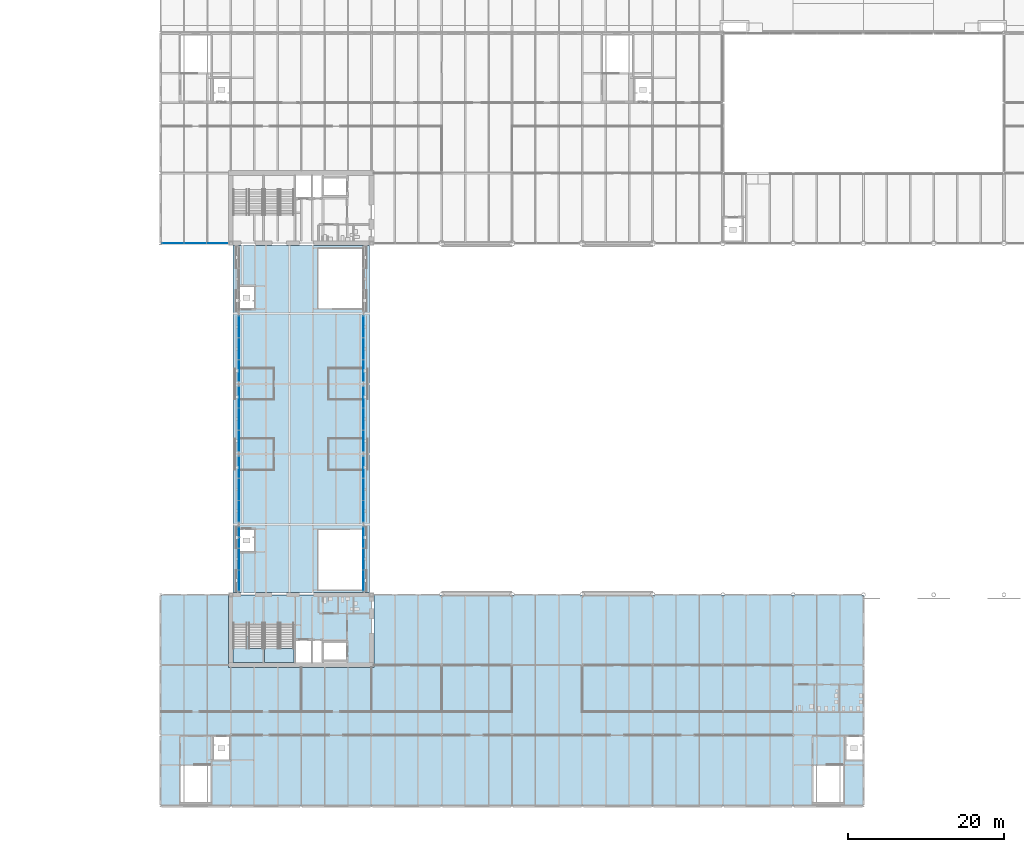
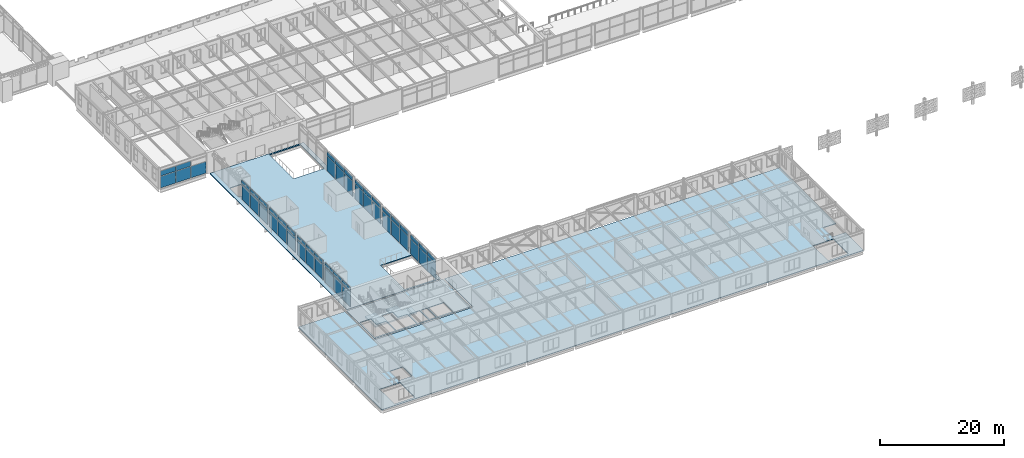
# One storey, part 53 of 123: 53 plates, 5 slabs, 11 elements without a shape of their own.
"""IFC4 building model written with IfcOpenShell, lengths in metres."""

from ifc_helpers import new_model, si_unit, direction, frame, origin, origin_2d, place, context, subcontext, project, spatial, polyline, rectangle, outline, extrude, material, layer, layer_set, type_object, element, aggregate, save


model = new_model("IFC4")

# Units and contexts
model_context = context("Model", 3, precision=1e-05, world=origin(), true_north=direction((0.0, 1.0)))
body_context = subcontext(model_context, "Body", "Model", "MODEL_VIEW")
ifc_project = project(units=[si_unit("LENGTHUNIT", "METRE"), si_unit("AREAUNIT", "SQUARE_METRE"), si_unit("VOLUMEUNIT", "CUBIC_METRE"), si_unit("PLANEANGLEUNIT", "RADIAN"), si_unit("MASSUNIT", "GRAM", prefix="KILO")], contexts=[model_context])

# Site, building, storey
site_placement = place(None, origin())
site = spatial("IfcSite", under=ifc_project, at=site_placement, CompositionType="ELEMENT")
building_placement = place(site_placement, origin())
building = spatial("IfcBuilding", under=site, at=building_placement, Name="Baradari Gate Terminus", CompositionType="ELEMENT")
storey_placement = place(building_placement, frame((0.0, 0.0, 7.5)))
storey = spatial("IfcBuildingStorey", under=building, at=storey_placement, Name="L01", CompositionType="ELEMENT", Elevation=7.5)

# Slabs
ifc_material_1 = material(Name="Concrete C35/45", Category="concrete")
ifc_layer_1 = layer(ifc_material_1, 0.1298828125)
ifc_layer_set_1 = layer_set([ifc_layer_1], Name="Concrete C35/45")
slab_type_1 = type_object("IfcSlabType", Name="Composite floor slab SL1 130", PredefinedType="FLOOR", material=ifc_layer_set_1)
slab_1_placement = place(storey_placement, frame((0.0, 0.0, -0.1298828125)))
element("IfcSlab", 1, at=slab_1_placement, inside=storey, type_object=slab_type_1, Name="South wing floor", PredefinedType="FLOOR", context=body_context, shape_type="SweptSolid", body=[
    extrude(outline(polyline([(153.0, 36.0), (90.300048828125, 36.0), (90.300048828125, 35.699951171875), (90.300048828125, 27.300048828125), (90.300048828125, 26.699951171875), (71.699951171875, 26.699951171875), (71.699951171875, 27.300048828125), (71.699951171875, 35.699951171875), (71.699951171875, 36.0), (63.0, 36.0), (63.0, 9.0), (153.0, 9.0), (153.0, 14.800048828125), (150.60009765625, 14.800048828125), (150.60009765625, 17.800048828125), (153.0, 17.800048828125), (153.0, 36.0)]), holes=[polyline([(150.39990234375, 9.39990234375), (150.39990234375, 14.199951171875), (146.60009765625, 14.199951171875), (146.60009765625, 9.39990234375), (150.39990234375, 9.39990234375)]), polyline([(72.0, 17.800048828125), (69.60009765625, 17.800048828125), (69.60009765625, 14.800048828125), (72.0, 14.800048828125), (72.0, 17.800048828125)]), polyline([(65.60009765625, 14.199951171875), (65.60009765625, 9.39990234375), (69.39990234375, 9.39990234375), (69.39990234375, 14.199951171875), (65.60009765625, 14.199951171875)])]), origin(), (0.0, 0.0, 1.0), 0.1298828125),
])
slab_2_placement = place(storey_placement, frame((0.0, 0.0, -0.1298828125)))
element("IfcSlab", 2, at=slab_2_placement, inside=storey, type_object=slab_type_1, Name="Gate floor", PredefinedType="FLOOR", context=body_context, shape_type="SweptSolid", body=[
    extrude(outline(polyline([(89.75, 36.300048828125), (89.75, 80.699951171875), (72.25, 80.699951171875), (72.25, 36.300048828125), (89.75, 36.300048828125)]), holes=[polyline([(83.199951171875, 80.39990234375), (83.199951171875, 72.60009765625), (89.0, 72.60009765625), (89.0, 80.39990234375), (83.199951171875, 80.39990234375)]), polyline([(83.199951171875, 36.60009765625), (89.0, 36.60009765625), (89.0, 44.39990234375), (83.199951171875, 44.39990234375), (83.199951171875, 36.60009765625)]), polyline([(75.0, 44.39990234375), (73.0, 44.39990234375), (73.0, 41.5), (75.0, 41.5), (75.0, 44.39990234375)]), polyline([(75.0, 72.60009765625), (75.0, 75.5), (73.0, 75.5), (73.0, 72.60009765625), (75.0, 72.60009765625)])]), origin(), (0.0, 0.0, 1.0), 0.1298828125),
])
slab_3_placement = place(storey_placement, frame((0.0, 0.0, -0.1298828125)))
element("IfcSlab", 3, at=slab_3_placement, inside=storey, type_object=slab_type_1, Name="Core floor GS", PredefinedType="FLOOR", context=body_context, shape_type="SweptSolid", body=[
    extrude(outline(polyline([(72.0, 27.0), (90.0, 27.0), (90.0, 36.0), (72.0, 36.0), (72.0, 27.0)]), holes=[polyline([(86.800048828125, 27.300048828125), (86.800048828125, 30.199951171875), (83.89990234375, 30.199951171875), (83.89990234375, 27.300048828125), (86.800048828125, 27.300048828125)]), polyline([(83.699951171875, 30.199951171875), (82.5, 30.199951171875), (82.5, 27.300048828125), (83.699951171875, 27.300048828125), (83.699951171875, 30.199951171875)]), polyline([(82.300048828125, 30.199951171875), (80.300048828125, 30.199951171875), (80.300048828125, 27.300048828125), (82.300048828125, 27.300048828125), (82.300048828125, 30.199951171875)]), polyline([(80.10009765625, 27.300048828125), (80.10009765625, 30.280029296875), (78.300048828125, 30.280029296875), (78.300048828125, 32.10009765625), (76.300048828125, 32.10009765625), (76.300048828125, 27.300048828125), (80.10009765625, 27.300048828125)]), polyline([(76.10009765625, 27.300048828125), (76.10009765625, 30.280029296875), (74.300048828125, 30.280029296875), (74.300048828125, 32.10009765625), (72.300048828125, 32.10009765625), (72.300048828125, 27.300048828125), (76.10009765625, 27.300048828125)])]), origin(), (0.0, 0.0, 1.0), 0.1298828125),
])

# Curtain wall, plates
ifc_material_2 = material(Name="Aluminium 6063-T6", Category="aluminium")
curtain_wall_type_1 = type_object("IfcCurtainWallType", Name="Curtain wall CW-13 concourse gallery glazing", PredefinedType="NOTDEFINED", material=ifc_material_2)
curtain_wall_1_placement = place(storey_placement, origin())
curtain_wall_1 = element("IfcCurtainWall", 4, at=curtain_wall_1_placement, inside=storey, type_object=curtain_wall_type_1, Name="Glazed curtain wall CW-13 HS bay 8 L01", PredefinedType="NOTDEFINED")
ifc_material_3 = material(Name="Insulating glass unit", Category="glass")
ifc_layer_2 = layer(ifc_material_3, 0.0400390625)
ifc_layer_set_2 = layer_set([ifc_layer_2], Name="Insulating glass unit")
plate_type_1 = type_object("IfcPlateType", Name="Curtain wall glazing unit CP-13 40", PredefinedType="CURTAIN_PANEL", material=ifc_layer_set_2)
plate_1_placement = place(storey_placement, frame((64.6064453125, 81.0, 0.080078125), z_axis=(0.0, 0.0, 1.0), x_axis=(1.0, 0.0, 0.0)))
plate_1 = element("IfcPlate", 5, at=plate_1_placement, type_object=plate_type_1, Name="CW-13 panel 1.1", PredefinedType="CURTAIN_PANEL", context=body_context, shape_type="SweptSolid", body=[
    extrude(rectangle(XDim=2.745361328125, YDim=0.0400390625, at=origin_2d()), origin(), (0.0, 0.0, 1.0), 2.280029296875),
])
plate_2_placement = place(storey_placement, frame((64.6064453125, 81.0, 2.43994140625), z_axis=(0.0, 0.0, 1.0), x_axis=(1.0, 0.0, 0.0)))
plate_2 = element("IfcPlate", 6, at=plate_2_placement, type_object=plate_type_1, Name="CW-13 panel 1.2", PredefinedType="CURTAIN_PANEL", context=body_context, shape_type="SweptSolid", body=[
    extrude(rectangle(XDim=2.745361328125, YDim=0.0400390625, at=origin_2d()), origin(), (0.0, 0.0, 1.0), 0.996826171875),
])
plate_3_placement = place(storey_placement, frame((67.451904296875, 81.0, 0.080078125), z_axis=(0.0, 0.0, 1.0), x_axis=(1.0, 0.0, 0.0)))
plate_3 = element("IfcPlate", 7, at=plate_3_placement, type_object=plate_type_1, Name="CW-13 panel 2.1", PredefinedType="CURTAIN_PANEL", context=body_context, shape_type="SweptSolid", body=[
    extrude(rectangle(XDim=2.785400390625, YDim=0.0400390625, at=origin_2d()), origin(), (0.0, 0.0, 1.0), 2.280029296875),
])
plate_4_placement = place(storey_placement, frame((67.451904296875, 81.0, 2.43994140625), z_axis=(0.0, 0.0, 1.0), x_axis=(1.0, 0.0, 0.0)))
plate_4 = element("IfcPlate", 8, at=plate_4_placement, type_object=plate_type_1, Name="CW-13 panel 2.2", PredefinedType="CURTAIN_PANEL", context=body_context, shape_type="SweptSolid", body=[
    extrude(rectangle(XDim=2.785400390625, YDim=0.0400390625, at=origin_2d()), origin(), (0.0, 0.0, 1.0), 0.996826171875),
])
plate_5_placement = place(storey_placement, frame((70.29736328125, 81.0, 0.080078125), z_axis=(0.0, 0.0, 1.0), x_axis=(1.0, 0.0, 0.0)))
plate_5 = element("IfcPlate", 9, at=plate_5_placement, type_object=plate_type_1, Name="CW-13 panel 3.1", PredefinedType="CURTAIN_PANEL", context=body_context, shape_type="SweptSolid", body=[
    extrude(rectangle(XDim=2.745361328125, YDim=0.0400390625, at=origin_2d()), origin(), (0.0, 0.0, 1.0), 2.280029296875),
])
aggregate(curtain_wall_1, [plate_1, plate_2, plate_3, plate_4, plate_5])

ifc_material_4 = material(Name="Aluminium 6063-T6", Category="aluminium")
curtain_wall_type_2 = type_object("IfcCurtainWallType", Name="Curtain wall CW-14 concourse bridge glazing", PredefinedType="NOTDEFINED", material=ifc_material_4)
curtain_wall_2_placement = place(storey_placement, origin())
curtain_wall_2 = element("IfcCurtainWall", 10, at=curtain_wall_2_placement, inside=storey, type_object=curtain_wall_type_2, Name="Curtain wall CW-3 gate west face L01 bay 1", PredefinedType="NOTDEFINED")
ifc_material_5 = material(Name="Insulating glass unit", Category="glass")
ifc_layer_3 = layer(ifc_material_5, 0.0400390625)
ifc_layer_set_3 = layer_set([ifc_layer_3], Name="Insulating glass unit")
plate_type_2 = type_object("IfcPlateType", Name="Curtain wall glazing unit CP-14 40", PredefinedType="CURTAIN_PANEL", material=ifc_layer_set_3)
plate_6_placement = place(storey_placement, frame((73.02490234375, 37.816650390625, 0.10009765625), z_axis=(0.0, 0.0, 1.0), x_axis=(0.0, 1.0, 0.0)))
plate_6 = element("IfcPlate", 11, at=plate_6_placement, type_object=plate_type_2, Name="CW-14 panel 1.1", PredefinedType="CURTAIN_PANEL", context=body_context, shape_type="SweptSolid", body=[
    extrude(rectangle(XDim=2.63330078125, YDim=0.0400390625, at=origin_2d()), origin(), (0.0, 0.0, 1.0), 3.0),
])
plate_7_placement = place(storey_placement, frame((73.02490234375, 40.574951171875, 0.10009765625), z_axis=(0.0, 0.0, 1.0), x_axis=(0.0, 1.0, 0.0)))
plate_7 = element("IfcPlate", 12, at=plate_7_placement, type_object=plate_type_2, Name="CW-14 panel 2.1", PredefinedType="CURTAIN_PANEL", context=body_context, shape_type="SweptSolid", body=[
    extrude(rectangle(XDim=2.683349609375, YDim=0.0400390625, at=origin_2d()), origin(), (0.0, 0.0, 1.0), 3.0),
])

curtain_wall_3_placement = place(storey_placement, origin())
curtain_wall_3 = element("IfcCurtainWall", 13, at=curtain_wall_3_placement, inside=storey, type_object=curtain_wall_type_2, Name="Curtain wall CW-3 gate west face L01 bay 2", PredefinedType="NOTDEFINED")
plate_8_placement = place(storey_placement, frame((73.02490234375, 46.691650390625, 0.10009765625), z_axis=(0.0, 0.0, 1.0), x_axis=(0.0, 1.0, 0.0)))
plate_8 = element("IfcPlate", 14, at=plate_8_placement, type_object=plate_type_2, Name="CW-14 panel 1.1", PredefinedType="CURTAIN_PANEL", context=body_context, shape_type="SweptSolid", body=[
    extrude(rectangle(XDim=2.683349609375, YDim=0.0400390625, at=origin_2d()), origin(), (0.0, 0.0, 1.0), 3.0),
])
plate_9_placement = place(storey_placement, frame((73.02490234375, 49.5, 0.10009765625), z_axis=(0.0, 0.0, 1.0), x_axis=(0.0, 1.0, 0.0)))
plate_9 = element("IfcPlate", 15, at=plate_9_placement, type_object=plate_type_2, Name="CW-14 panel 2.1", PredefinedType="CURTAIN_PANEL", context=body_context, shape_type="SweptSolid", body=[
    extrude(rectangle(XDim=2.7333984375, YDim=0.0400390625, at=origin_2d()), origin(), (0.0, 0.0, 1.0), 3.0),
])

curtain_wall_4_placement = place(storey_placement, origin())
curtain_wall_4 = element("IfcCurtainWall", 16, at=curtain_wall_4_placement, inside=storey, type_object=curtain_wall_type_2, Name="Curtain wall CW-3 gate west face L01 bay 3", PredefinedType="NOTDEFINED")
plate_10_placement = place(storey_placement, frame((73.02490234375, 55.691650390625, 0.10009765625), z_axis=(0.0, 0.0, 1.0), x_axis=(0.0, 1.0, 0.0)))
plate_10 = element("IfcPlate", 17, at=plate_10_placement, type_object=plate_type_2, Name="CW-14 panel 1.1", PredefinedType="CURTAIN_PANEL", context=body_context, shape_type="SweptSolid", body=[
    extrude(rectangle(XDim=2.683349609375, YDim=0.0400390625, at=origin_2d()), origin(), (0.0, 0.0, 1.0), 3.0),
])
plate_11_placement = place(storey_placement, frame((73.02490234375, 58.5, 0.10009765625), z_axis=(0.0, 0.0, 1.0), x_axis=(0.0, 1.0, 0.0)))
plate_11 = element("IfcPlate", 18, at=plate_11_placement, type_object=plate_type_2, Name="CW-14 panel 2.1", PredefinedType="CURTAIN_PANEL", context=body_context, shape_type="SweptSolid", body=[
    extrude(rectangle(XDim=2.7333984375, YDim=0.0400390625, at=origin_2d()), origin(), (0.0, 0.0, 1.0), 3.0),
])

curtain_wall_5_placement = place(storey_placement, origin())
curtain_wall_5 = element("IfcCurtainWall", 19, at=curtain_wall_5_placement, inside=storey, type_object=curtain_wall_type_2, Name="Curtain wall CW-3 gate west face L01 bay 4", PredefinedType="NOTDEFINED")
plate_12_placement = place(storey_placement, frame((73.02490234375, 67.5, 0.10009765625), z_axis=(0.0, 0.0, 1.0), x_axis=(0.0, 1.0, 0.0)))
plate_12 = element("IfcPlate", 20, at=plate_12_placement, type_object=plate_type_2, Name="CW-14 panel 2.1", PredefinedType="CURTAIN_PANEL", context=body_context, shape_type="SweptSolid", body=[
    extrude(rectangle(XDim=2.7333984375, YDim=0.0400390625, at=origin_2d()), origin(), (0.0, 0.0, 1.0), 3.0),
])
plate_13_placement = place(storey_placement, frame((73.02490234375, 70.308349609375, 0.10009765625), z_axis=(0.0, 0.0, 1.0), x_axis=(0.0, 1.0, 0.0)))
plate_13 = element("IfcPlate", 21, at=plate_13_placement, type_object=plate_type_2, Name="CW-14 panel 3.1", PredefinedType="CURTAIN_PANEL", context=body_context, shape_type="SweptSolid", body=[
    extrude(rectangle(XDim=2.683349609375, YDim=0.0400390625, at=origin_2d()), origin(), (0.0, 0.0, 1.0), 3.0),
])

curtain_wall_6_placement = place(storey_placement, origin())
curtain_wall_6 = element("IfcCurtainWall", 22, at=curtain_wall_6_placement, inside=storey, type_object=curtain_wall_type_2, Name="Curtain wall CW-3 gate east face L01 bay 1", PredefinedType="NOTDEFINED")
plate_14_placement = place(storey_placement, frame((88.97509765625, 37.816650390625, 0.10009765625), z_axis=(0.0, 0.0, 1.0), x_axis=(0.0, 1.0, 0.0)))
plate_14 = element("IfcPlate", 23, at=plate_14_placement, type_object=plate_type_2, Name="CW-14 panel 1.1", PredefinedType="CURTAIN_PANEL", context=body_context, shape_type="SweptSolid", body=[
    extrude(rectangle(XDim=2.63330078125, YDim=0.0400390625, at=origin_2d()), origin(), (0.0, 0.0, 1.0), 3.0),
])
plate_15_placement = place(storey_placement, frame((88.97509765625, 40.574951171875, 0.10009765625), z_axis=(0.0, 0.0, 1.0), x_axis=(0.0, 1.0, 0.0)))
plate_15 = element("IfcPlate", 24, at=plate_15_placement, type_object=plate_type_2, Name="CW-14 panel 2.1", PredefinedType="CURTAIN_PANEL", context=body_context, shape_type="SweptSolid", body=[
    extrude(rectangle(XDim=2.683349609375, YDim=0.0400390625, at=origin_2d()), origin(), (0.0, 0.0, 1.0), 3.0),
])

curtain_wall_7_placement = place(storey_placement, origin())
curtain_wall_7 = element("IfcCurtainWall", 25, at=curtain_wall_7_placement, inside=storey, type_object=curtain_wall_type_2, Name="Curtain wall CW-3 gate east face L01 bay 2", PredefinedType="NOTDEFINED")
plate_16_placement = place(storey_placement, frame((88.97509765625, 46.691650390625, 0.10009765625), z_axis=(0.0, 0.0, 1.0), x_axis=(0.0, 1.0, 0.0)))
plate_16 = element("IfcPlate", 26, at=plate_16_placement, type_object=plate_type_2, Name="CW-14 panel 1.1", PredefinedType="CURTAIN_PANEL", context=body_context, shape_type="SweptSolid", body=[
    extrude(rectangle(XDim=2.683349609375, YDim=0.0400390625, at=origin_2d()), origin(), (0.0, 0.0, 1.0), 3.0),
])
plate_17_placement = place(storey_placement, frame((88.97509765625, 49.5, 0.10009765625), z_axis=(0.0, 0.0, 1.0), x_axis=(0.0, 1.0, 0.0)))
plate_17 = element("IfcPlate", 27, at=plate_17_placement, type_object=plate_type_2, Name="CW-14 panel 2.1", PredefinedType="CURTAIN_PANEL", context=body_context, shape_type="SweptSolid", body=[
    extrude(rectangle(XDim=2.7333984375, YDim=0.0400390625, at=origin_2d()), origin(), (0.0, 0.0, 1.0), 3.0),
])

curtain_wall_8_placement = place(storey_placement, origin())
curtain_wall_8 = element("IfcCurtainWall", 28, at=curtain_wall_8_placement, inside=storey, type_object=curtain_wall_type_2, Name="Curtain wall CW-3 gate east face L01 bay 3", PredefinedType="NOTDEFINED")
plate_18_placement = place(storey_placement, frame((88.97509765625, 55.691650390625, 0.10009765625), z_axis=(0.0, 0.0, 1.0), x_axis=(0.0, 1.0, 0.0)))
plate_18 = element("IfcPlate", 29, at=plate_18_placement, type_object=plate_type_2, Name="CW-14 panel 1.1", PredefinedType="CURTAIN_PANEL", context=body_context, shape_type="SweptSolid", body=[
    extrude(rectangle(XDim=2.683349609375, YDim=0.0400390625, at=origin_2d()), origin(), (0.0, 0.0, 1.0), 3.0),
])
plate_19_placement = place(storey_placement, frame((88.97509765625, 58.5, 0.10009765625), z_axis=(0.0, 0.0, 1.0), x_axis=(0.0, 1.0, 0.0)))
plate_19 = element("IfcPlate", 30, at=plate_19_placement, type_object=plate_type_2, Name="CW-14 panel 2.1", PredefinedType="CURTAIN_PANEL", context=body_context, shape_type="SweptSolid", body=[
    extrude(rectangle(XDim=2.7333984375, YDim=0.0400390625, at=origin_2d()), origin(), (0.0, 0.0, 1.0), 3.0),
])

curtain_wall_9_placement = place(storey_placement, origin())
curtain_wall_9 = element("IfcCurtainWall", 31, at=curtain_wall_9_placement, inside=storey, type_object=curtain_wall_type_2, Name="Curtain wall CW-3 gate east face L01 bay 4", PredefinedType="NOTDEFINED")
plate_20_placement = place(storey_placement, frame((88.97509765625, 67.5, 0.10009765625), z_axis=(0.0, 0.0, 1.0), x_axis=(0.0, 1.0, 0.0)))
plate_20 = element("IfcPlate", 32, at=plate_20_placement, type_object=plate_type_2, Name="CW-14 panel 2.1", PredefinedType="CURTAIN_PANEL", context=body_context, shape_type="SweptSolid", body=[
    extrude(rectangle(XDim=2.7333984375, YDim=0.0400390625, at=origin_2d()), origin(), (0.0, 0.0, 1.0), 3.0),
])
plate_21_placement = place(storey_placement, frame((88.97509765625, 70.308349609375, 0.10009765625), z_axis=(0.0, 0.0, 1.0), x_axis=(0.0, 1.0, 0.0)))
plate_21 = element("IfcPlate", 33, at=plate_21_placement, type_object=plate_type_2, Name="CW-14 panel 3.1", PredefinedType="CURTAIN_PANEL", context=body_context, shape_type="SweptSolid", body=[
    extrude(rectangle(XDim=2.683349609375, YDim=0.0400390625, at=origin_2d()), origin(), (0.0, 0.0, 1.0), 3.0),
])

# Plate
ifc_material_6 = material(Name="Back-painted glass", Category="glass")
ifc_layer_4 = layer(ifc_material_6, 0.080078125)
ifc_layer_set_4 = layer_set([ifc_layer_4], Name="Back-painted glass")
plate_type_3 = type_object("IfcPlateType", Name="Curtain wall spandrel panel CP-S14 80", PredefinedType="CURTAIN_PANEL", material=ifc_layer_set_4)
plate_22_placement = place(storey_placement, frame((73.02490234375, 37.816650390625, 3.199951171875), z_axis=(0.0, 0.0, 1.0), x_axis=(0.0, 1.0, 0.0)))
plate_22 = element("IfcPlate", 34, at=plate_22_placement, type_object=plate_type_3, Name="CW-14 spandrel panel 1.2", PredefinedType="CURTAIN_PANEL", context=body_context, shape_type="SweptSolid", body=[
    extrude(rectangle(XDim=2.63330078125, YDim=0.080078125, at=origin_2d()), origin(), (0.0, 0.0, 1.0), 0.75),
])

plate_23_placement = place(storey_placement, frame((73.02490234375, 40.574951171875, 3.199951171875), z_axis=(0.0, 0.0, 1.0), x_axis=(0.0, 1.0, 0.0)))
plate_23 = element("IfcPlate", 35, at=plate_23_placement, type_object=plate_type_3, Name="CW-14 spandrel panel 2.2", PredefinedType="CURTAIN_PANEL", context=body_context, shape_type="SweptSolid", body=[
    extrude(rectangle(XDim=2.683349609375, YDim=0.080078125, at=origin_2d()), origin(), (0.0, 0.0, 1.0), 0.75),
])

plate_24_placement = place(storey_placement, frame((73.02490234375, 43.333251953125, 0.10009765625), z_axis=(0.0, 0.0, 1.0), x_axis=(0.0, 1.0, 0.0)))
plate_24 = element("IfcPlate", 36, at=plate_24_placement, type_object=plate_type_3, Name="CW-14 spandrel panel 3.1", PredefinedType="CURTAIN_PANEL", context=body_context, shape_type="SweptSolid", body=[
    extrude(rectangle(XDim=2.63330078125, YDim=0.080078125, at=origin_2d()), origin(), (0.0, 0.0, 1.0), 3.0),
])

plate_25_placement = place(storey_placement, frame((73.02490234375, 43.333251953125, 3.199951171875), z_axis=(0.0, 0.0, 1.0), x_axis=(0.0, 1.0, 0.0)))
plate_25 = element("IfcPlate", 37, at=plate_25_placement, type_object=plate_type_3, Name="CW-14 spandrel panel 3.2", PredefinedType="CURTAIN_PANEL", context=body_context, shape_type="SweptSolid", body=[
    extrude(rectangle(XDim=2.63330078125, YDim=0.080078125, at=origin_2d()), origin(), (0.0, 0.0, 1.0), 0.75),
])

aggregate(curtain_wall_2, [plate_6, plate_22, plate_7, plate_23, plate_24, plate_25])

plate_26_placement = place(storey_placement, frame((73.02490234375, 46.691650390625, 3.199951171875), z_axis=(0.0, 0.0, 1.0), x_axis=(0.0, 1.0, 0.0)))
plate_26 = element("IfcPlate", 38, at=plate_26_placement, type_object=plate_type_3, Name="CW-14 spandrel panel 1.2", PredefinedType="CURTAIN_PANEL", context=body_context, shape_type="SweptSolid", body=[
    extrude(rectangle(XDim=2.683349609375, YDim=0.080078125, at=origin_2d()), origin(), (0.0, 0.0, 1.0), 0.75),
])

plate_27_placement = place(storey_placement, frame((73.02490234375, 49.5, 3.199951171875), z_axis=(0.0, 0.0, 1.0), x_axis=(0.0, 1.0, 0.0)))
plate_27 = element("IfcPlate", 39, at=plate_27_placement, type_object=plate_type_3, Name="CW-14 spandrel panel 2.2", PredefinedType="CURTAIN_PANEL", context=body_context, shape_type="SweptSolid", body=[
    extrude(rectangle(XDim=2.7333984375, YDim=0.080078125, at=origin_2d()), origin(), (0.0, 0.0, 1.0), 0.75),
])

plate_28_placement = place(storey_placement, frame((73.02490234375, 52.308349609375, 0.10009765625), z_axis=(0.0, 0.0, 1.0), x_axis=(0.0, 1.0, 0.0)))
plate_28 = element("IfcPlate", 40, at=plate_28_placement, type_object=plate_type_3, Name="CW-14 spandrel panel 3.1", PredefinedType="CURTAIN_PANEL", context=body_context, shape_type="SweptSolid", body=[
    extrude(rectangle(XDim=2.683349609375, YDim=0.080078125, at=origin_2d()), origin(), (0.0, 0.0, 1.0), 3.0),
])

plate_29_placement = place(storey_placement, frame((73.02490234375, 52.308349609375, 3.199951171875), z_axis=(0.0, 0.0, 1.0), x_axis=(0.0, 1.0, 0.0)))
plate_29 = element("IfcPlate", 41, at=plate_29_placement, type_object=plate_type_3, Name="CW-14 spandrel panel 3.2", PredefinedType="CURTAIN_PANEL", context=body_context, shape_type="SweptSolid", body=[
    extrude(rectangle(XDim=2.683349609375, YDim=0.080078125, at=origin_2d()), origin(), (0.0, 0.0, 1.0), 0.75),
])

aggregate(curtain_wall_3, [plate_8, plate_26, plate_9, plate_27, plate_28, plate_29])

plate_30_placement = place(storey_placement, frame((73.02490234375, 55.691650390625, 3.199951171875), z_axis=(0.0, 0.0, 1.0), x_axis=(0.0, 1.0, 0.0)))
plate_30 = element("IfcPlate", 42, at=plate_30_placement, type_object=plate_type_3, Name="CW-14 spandrel panel 1.2", PredefinedType="CURTAIN_PANEL", context=body_context, shape_type="SweptSolid", body=[
    extrude(rectangle(XDim=2.683349609375, YDim=0.080078125, at=origin_2d()), origin(), (0.0, 0.0, 1.0), 0.75),
])

plate_31_placement = place(storey_placement, frame((73.02490234375, 58.5, 3.199951171875), z_axis=(0.0, 0.0, 1.0), x_axis=(0.0, 1.0, 0.0)))
plate_31 = element("IfcPlate", 43, at=plate_31_placement, type_object=plate_type_3, Name="CW-14 spandrel panel 2.2", PredefinedType="CURTAIN_PANEL", context=body_context, shape_type="SweptSolid", body=[
    extrude(rectangle(XDim=2.7333984375, YDim=0.080078125, at=origin_2d()), origin(), (0.0, 0.0, 1.0), 0.75),
])

plate_32_placement = place(storey_placement, frame((73.02490234375, 61.308349609375, 0.10009765625), z_axis=(0.0, 0.0, 1.0), x_axis=(0.0, 1.0, 0.0)))
plate_32 = element("IfcPlate", 44, at=plate_32_placement, type_object=plate_type_3, Name="CW-14 spandrel panel 3.1", PredefinedType="CURTAIN_PANEL", context=body_context, shape_type="SweptSolid", body=[
    extrude(rectangle(XDim=2.683349609375, YDim=0.080078125, at=origin_2d()), origin(), (0.0, 0.0, 1.0), 3.0),
])

plate_33_placement = place(storey_placement, frame((73.02490234375, 61.308349609375, 3.199951171875), z_axis=(0.0, 0.0, 1.0), x_axis=(0.0, 1.0, 0.0)))
plate_33 = element("IfcPlate", 45, at=plate_33_placement, type_object=plate_type_3, Name="CW-14 spandrel panel 3.2", PredefinedType="CURTAIN_PANEL", context=body_context, shape_type="SweptSolid", body=[
    extrude(rectangle(XDim=2.683349609375, YDim=0.080078125, at=origin_2d()), origin(), (0.0, 0.0, 1.0), 0.75),
])

aggregate(curtain_wall_4, [plate_10, plate_30, plate_11, plate_31, plate_32, plate_33])

plate_34_placement = place(storey_placement, frame((73.02490234375, 64.691650390625, 0.10009765625), z_axis=(0.0, 0.0, 1.0), x_axis=(0.0, 1.0, 0.0)))
plate_34 = element("IfcPlate", 46, at=plate_34_placement, type_object=plate_type_3, Name="CW-14 spandrel panel 1.1", PredefinedType="CURTAIN_PANEL", context=body_context, shape_type="SweptSolid", body=[
    extrude(rectangle(XDim=2.683349609375, YDim=0.080078125, at=origin_2d()), origin(), (0.0, 0.0, 1.0), 3.0),
])

plate_35_placement = place(storey_placement, frame((73.02490234375, 64.691650390625, 3.199951171875), z_axis=(0.0, 0.0, 1.0), x_axis=(0.0, 1.0, 0.0)))
plate_35 = element("IfcPlate", 47, at=plate_35_placement, type_object=plate_type_3, Name="CW-14 spandrel panel 1.2", PredefinedType="CURTAIN_PANEL", context=body_context, shape_type="SweptSolid", body=[
    extrude(rectangle(XDim=2.683349609375, YDim=0.080078125, at=origin_2d()), origin(), (0.0, 0.0, 1.0), 0.75),
])

plate_36_placement = place(storey_placement, frame((73.02490234375, 67.5, 3.199951171875), z_axis=(0.0, 0.0, 1.0), x_axis=(0.0, 1.0, 0.0)))
plate_36 = element("IfcPlate", 48, at=plate_36_placement, type_object=plate_type_3, Name="CW-14 spandrel panel 2.2", PredefinedType="CURTAIN_PANEL", context=body_context, shape_type="SweptSolid", body=[
    extrude(rectangle(XDim=2.7333984375, YDim=0.080078125, at=origin_2d()), origin(), (0.0, 0.0, 1.0), 0.75),
])

plate_37_placement = place(storey_placement, frame((73.02490234375, 70.308349609375, 3.199951171875), z_axis=(0.0, 0.0, 1.0), x_axis=(0.0, 1.0, 0.0)))
plate_37 = element("IfcPlate", 49, at=plate_37_placement, type_object=plate_type_3, Name="CW-14 spandrel panel 3.2", PredefinedType="CURTAIN_PANEL", context=body_context, shape_type="SweptSolid", body=[
    extrude(rectangle(XDim=2.683349609375, YDim=0.080078125, at=origin_2d()), origin(), (0.0, 0.0, 1.0), 0.75),
])

aggregate(curtain_wall_5, [plate_34, plate_35, plate_12, plate_36, plate_13, plate_37])

plate_38_placement = place(storey_placement, frame((88.97509765625, 37.816650390625, 3.199951171875), z_axis=(0.0, 0.0, 1.0), x_axis=(0.0, 1.0, 0.0)))
plate_38 = element("IfcPlate", 50, at=plate_38_placement, type_object=plate_type_3, Name="CW-14 spandrel panel 1.2", PredefinedType="CURTAIN_PANEL", context=body_context, shape_type="SweptSolid", body=[
    extrude(rectangle(XDim=2.63330078125, YDim=0.080078125, at=origin_2d()), origin(), (0.0, 0.0, 1.0), 0.75),
])

plate_39_placement = place(storey_placement, frame((88.97509765625, 40.574951171875, 3.199951171875), z_axis=(0.0, 0.0, 1.0), x_axis=(0.0, 1.0, 0.0)))
plate_39 = element("IfcPlate", 51, at=plate_39_placement, type_object=plate_type_3, Name="CW-14 spandrel panel 2.2", PredefinedType="CURTAIN_PANEL", context=body_context, shape_type="SweptSolid", body=[
    extrude(rectangle(XDim=2.683349609375, YDim=0.080078125, at=origin_2d()), origin(), (0.0, 0.0, 1.0), 0.75),
])

plate_40_placement = place(storey_placement, frame((88.97509765625, 43.333251953125, 0.10009765625), z_axis=(0.0, 0.0, 1.0), x_axis=(0.0, 1.0, 0.0)))
plate_40 = element("IfcPlate", 52, at=plate_40_placement, type_object=plate_type_3, Name="CW-14 spandrel panel 3.1", PredefinedType="CURTAIN_PANEL", context=body_context, shape_type="SweptSolid", body=[
    extrude(rectangle(XDim=2.63330078125, YDim=0.080078125, at=origin_2d()), origin(), (0.0, 0.0, 1.0), 3.0),
])

plate_41_placement = place(storey_placement, frame((88.97509765625, 43.333251953125, 3.199951171875), z_axis=(0.0, 0.0, 1.0), x_axis=(0.0, 1.0, 0.0)))
plate_41 = element("IfcPlate", 53, at=plate_41_placement, type_object=plate_type_3, Name="CW-14 spandrel panel 3.2", PredefinedType="CURTAIN_PANEL", context=body_context, shape_type="SweptSolid", body=[
    extrude(rectangle(XDim=2.63330078125, YDim=0.080078125, at=origin_2d()), origin(), (0.0, 0.0, 1.0), 0.75),
])

aggregate(curtain_wall_6, [plate_14, plate_38, plate_15, plate_39, plate_40, plate_41])

plate_42_placement = place(storey_placement, frame((88.97509765625, 46.691650390625, 3.199951171875), z_axis=(0.0, 0.0, 1.0), x_axis=(0.0, 1.0, 0.0)))
plate_42 = element("IfcPlate", 54, at=plate_42_placement, type_object=plate_type_3, Name="CW-14 spandrel panel 1.2", PredefinedType="CURTAIN_PANEL", context=body_context, shape_type="SweptSolid", body=[
    extrude(rectangle(XDim=2.683349609375, YDim=0.080078125, at=origin_2d()), origin(), (0.0, 0.0, 1.0), 0.75),
])

plate_43_placement = place(storey_placement, frame((88.97509765625, 49.5, 3.199951171875), z_axis=(0.0, 0.0, 1.0), x_axis=(0.0, 1.0, 0.0)))
plate_43 = element("IfcPlate", 55, at=plate_43_placement, type_object=plate_type_3, Name="CW-14 spandrel panel 2.2", PredefinedType="CURTAIN_PANEL", context=body_context, shape_type="SweptSolid", body=[
    extrude(rectangle(XDim=2.7333984375, YDim=0.080078125, at=origin_2d()), origin(), (0.0, 0.0, 1.0), 0.75),
])

plate_44_placement = place(storey_placement, frame((88.97509765625, 52.308349609375, 0.10009765625), z_axis=(0.0, 0.0, 1.0), x_axis=(0.0, 1.0, 0.0)))
plate_44 = element("IfcPlate", 56, at=plate_44_placement, type_object=plate_type_3, Name="CW-14 spandrel panel 3.1", PredefinedType="CURTAIN_PANEL", context=body_context, shape_type="SweptSolid", body=[
    extrude(rectangle(XDim=2.683349609375, YDim=0.080078125, at=origin_2d()), origin(), (0.0, 0.0, 1.0), 3.0),
])

plate_45_placement = place(storey_placement, frame((88.97509765625, 52.308349609375, 3.199951171875), z_axis=(0.0, 0.0, 1.0), x_axis=(0.0, 1.0, 0.0)))
plate_45 = element("IfcPlate", 57, at=plate_45_placement, type_object=plate_type_3, Name="CW-14 spandrel panel 3.2", PredefinedType="CURTAIN_PANEL", context=body_context, shape_type="SweptSolid", body=[
    extrude(rectangle(XDim=2.683349609375, YDim=0.080078125, at=origin_2d()), origin(), (0.0, 0.0, 1.0), 0.75),
])

aggregate(curtain_wall_7, [plate_16, plate_42, plate_17, plate_43, plate_44, plate_45])

plate_46_placement = place(storey_placement, frame((88.97509765625, 55.691650390625, 3.199951171875), z_axis=(0.0, 0.0, 1.0), x_axis=(0.0, 1.0, 0.0)))
plate_46 = element("IfcPlate", 58, at=plate_46_placement, type_object=plate_type_3, Name="CW-14 spandrel panel 1.2", PredefinedType="CURTAIN_PANEL", context=body_context, shape_type="SweptSolid", body=[
    extrude(rectangle(XDim=2.683349609375, YDim=0.080078125, at=origin_2d()), origin(), (0.0, 0.0, 1.0), 0.75),
])

plate_47_placement = place(storey_placement, frame((88.97509765625, 58.5, 3.199951171875), z_axis=(0.0, 0.0, 1.0), x_axis=(0.0, 1.0, 0.0)))
plate_47 = element("IfcPlate", 59, at=plate_47_placement, type_object=plate_type_3, Name="CW-14 spandrel panel 2.2", PredefinedType="CURTAIN_PANEL", context=body_context, shape_type="SweptSolid", body=[
    extrude(rectangle(XDim=2.7333984375, YDim=0.080078125, at=origin_2d()), origin(), (0.0, 0.0, 1.0), 0.75),
])

plate_48_placement = place(storey_placement, frame((88.97509765625, 61.308349609375, 0.10009765625), z_axis=(0.0, 0.0, 1.0), x_axis=(0.0, 1.0, 0.0)))
plate_48 = element("IfcPlate", 60, at=plate_48_placement, type_object=plate_type_3, Name="CW-14 spandrel panel 3.1", PredefinedType="CURTAIN_PANEL", context=body_context, shape_type="SweptSolid", body=[
    extrude(rectangle(XDim=2.683349609375, YDim=0.080078125, at=origin_2d()), origin(), (0.0, 0.0, 1.0), 3.0),
])

plate_49_placement = place(storey_placement, frame((88.97509765625, 61.308349609375, 3.199951171875), z_axis=(0.0, 0.0, 1.0), x_axis=(0.0, 1.0, 0.0)))
plate_49 = element("IfcPlate", 61, at=plate_49_placement, type_object=plate_type_3, Name="CW-14 spandrel panel 3.2", PredefinedType="CURTAIN_PANEL", context=body_context, shape_type="SweptSolid", body=[
    extrude(rectangle(XDim=2.683349609375, YDim=0.080078125, at=origin_2d()), origin(), (0.0, 0.0, 1.0), 0.75),
])

aggregate(curtain_wall_8, [plate_18, plate_46, plate_19, plate_47, plate_48, plate_49])

plate_50_placement = place(storey_placement, frame((88.97509765625, 64.691650390625, 0.10009765625), z_axis=(0.0, 0.0, 1.0), x_axis=(0.0, 1.0, 0.0)))
plate_50 = element("IfcPlate", 62, at=plate_50_placement, type_object=plate_type_3, Name="CW-14 spandrel panel 1.1", PredefinedType="CURTAIN_PANEL", context=body_context, shape_type="SweptSolid", body=[
    extrude(rectangle(XDim=2.683349609375, YDim=0.080078125, at=origin_2d()), origin(), (0.0, 0.0, 1.0), 3.0),
])

plate_51_placement = place(storey_placement, frame((88.97509765625, 64.691650390625, 3.199951171875), z_axis=(0.0, 0.0, 1.0), x_axis=(0.0, 1.0, 0.0)))
plate_51 = element("IfcPlate", 63, at=plate_51_placement, type_object=plate_type_3, Name="CW-14 spandrel panel 1.2", PredefinedType="CURTAIN_PANEL", context=body_context, shape_type="SweptSolid", body=[
    extrude(rectangle(XDim=2.683349609375, YDim=0.080078125, at=origin_2d()), origin(), (0.0, 0.0, 1.0), 0.75),
])

plate_52_placement = place(storey_placement, frame((88.97509765625, 67.5, 3.199951171875), z_axis=(0.0, 0.0, 1.0), x_axis=(0.0, 1.0, 0.0)))
plate_52 = element("IfcPlate", 64, at=plate_52_placement, type_object=plate_type_3, Name="CW-14 spandrel panel 2.2", PredefinedType="CURTAIN_PANEL", context=body_context, shape_type="SweptSolid", body=[
    extrude(rectangle(XDim=2.7333984375, YDim=0.080078125, at=origin_2d()), origin(), (0.0, 0.0, 1.0), 0.75),
])

plate_53_placement = place(storey_placement, frame((88.97509765625, 70.308349609375, 3.199951171875), z_axis=(0.0, 0.0, 1.0), x_axis=(0.0, 1.0, 0.0)))
plate_53 = element("IfcPlate", 65, at=plate_53_placement, type_object=plate_type_3, Name="CW-14 spandrel panel 3.2", PredefinedType="CURTAIN_PANEL", context=body_context, shape_type="SweptSolid", body=[
    extrude(rectangle(XDim=2.683349609375, YDim=0.080078125, at=origin_2d()), origin(), (0.0, 0.0, 1.0), 0.75),
])

aggregate(curtain_wall_9, [plate_50, plate_51, plate_20, plate_52, plate_21, plate_53])

# Stair, slab
ifc_material_7 = material(Name="Concrete C32/40", Category="concrete")
stair_type_1 = type_object("IfcStairType", Name="Exit stair ST-GS1 riser 175 x 1800", PredefinedType="HALF_TURN_STAIR", material=ifc_material_7)
stair_1_placement = place(storey_placement, origin())
stair_1 = element("IfcStair", 66, at=stair_1_placement, inside=storey, type_object=stair_type_1, Name="Stair ST-GS1 L01 to L02", PredefinedType="HALF_TURN_STAIR")
ifc_material_8 = material(Name="Concrete C32/40", Category="concrete")
ifc_layer_5 = layer(ifc_material_8, 0.25)
ifc_layer_set_5 = layer_set([ifc_layer_5], Name="Concrete C32/40")
slab_type_2 = type_object("IfcSlabType", Name="Stair landing LS-5 250", PredefinedType="LANDING", material=ifc_layer_set_5)
slab_4_placement = place(storey_placement, frame((0.0, 0.0, 1.85009765625)))
slab_4 = element("IfcSlab", 67, at=slab_4_placement, type_object=slab_type_2, Name="ST-GS1 landing 1", PredefinedType="LANDING", context=body_context, shape_type="SweptSolid", body=[
    extrude(outline(polyline([(76.10009765625, 27.300048828125), (76.10009765625, 29.1201171875), (74.300048828125, 29.1201171875), (74.300048828125, 30.635009765625), (74.10009765625, 30.635009765625), (72.300048828125, 30.635009765625), (72.300048828125, 27.300048828125), (76.10009765625, 27.300048828125)])), origin(), (0.0, 0.0, 1.0), 0.25),
])
aggregate(stair_1, [slab_4])

ifc_material_9 = material(Name="Concrete C32/40", Category="concrete")
stair_type_2 = type_object("IfcStairType", Name="Exit stair ST-GS2 riser 175 x 1800", PredefinedType="HALF_TURN_STAIR", material=ifc_material_9)
stair_2_placement = place(storey_placement, origin())
stair_2 = element("IfcStair", 68, at=stair_2_placement, inside=storey, type_object=stair_type_2, Name="Stair ST-GS2 L01 to L02", PredefinedType="HALF_TURN_STAIR")
slab_5_placement = place(storey_placement, frame((0.0, 0.0, 1.85009765625)))
slab_5 = element("IfcSlab", 69, at=slab_5_placement, type_object=slab_type_2, Name="ST-GS2 landing 1", PredefinedType="LANDING", context=body_context, shape_type="SweptSolid", body=[
    extrude(outline(polyline([(80.10009765625, 27.300048828125), (80.10009765625, 29.1201171875), (78.300048828125, 29.1201171875), (78.300048828125, 30.635009765625), (78.10009765625, 30.635009765625), (76.300048828125, 30.635009765625), (76.300048828125, 27.300048828125), (80.10009765625, 27.300048828125)])), origin(), (0.0, 0.0, 1.0), 0.25),
])
aggregate(stair_2, [slab_5])

save(model, "model.ifc")
